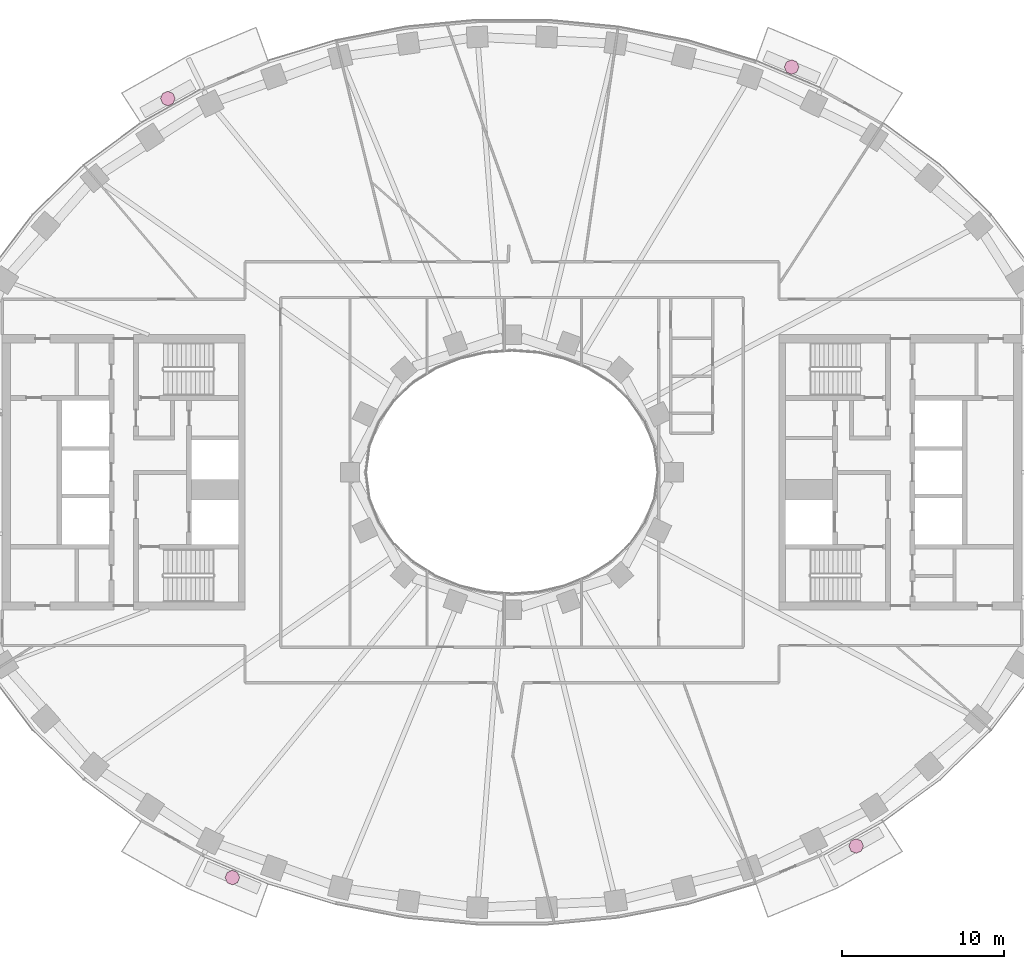
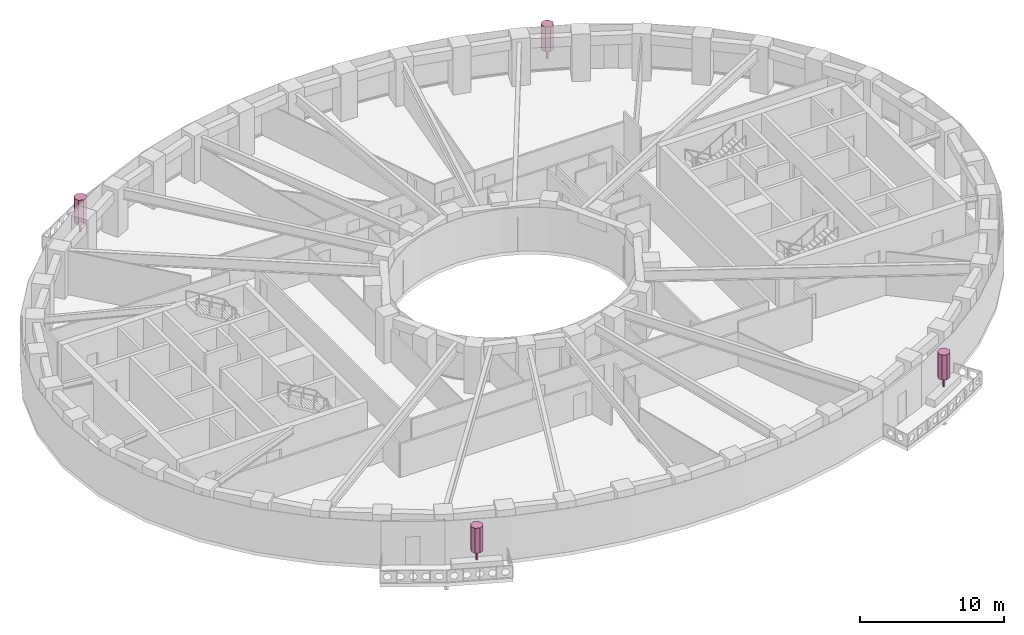
# One storey, part 15 of 15: 4 furnishings.
"""IFC4 building model written with IfcOpenShell, lengths in metres."""

from ifc_helpers import new_model, si_unit, direction, frame, origin, origin_2d, place, context, subcontext, project, spatial, polyline, rectangle, outline, extrude, material, type_object, element, save


model = new_model("IFC4")

# Units and contexts
model_context = context("Model", 3, precision=1e-05, world=origin(), true_north=direction((0.0, 1.0)))
body_context = subcontext(model_context, "Body", "Model", "MODEL_VIEW")
ifc_project = project(units=[si_unit("LENGTHUNIT", "METRE"), si_unit("AREAUNIT", "SQUARE_METRE"), si_unit("VOLUMEUNIT", "CUBIC_METRE"), si_unit("PLANEANGLEUNIT", "RADIAN"), si_unit("MASSUNIT", "GRAM", prefix="KILO")], contexts=[model_context])

# Site, building, storey
site_placement = place(None, origin())
site = spatial("IfcSite", under=ifc_project, at=site_placement, CompositionType="ELEMENT")
building_placement = place(site_placement, origin())
building = spatial("IfcBuilding", under=site, at=building_placement, Name="Noorbagh Ring Tower", CompositionType="ELEMENT")
storey_placement = place(building_placement, frame((0.0, 0.0, 104.0)))
storey = spatial("IfcBuildingStorey", under=building, at=storey_placement, Name="L23", CompositionType="ELEMENT", Elevation=104.0)

# Furnishings
ifc_material = material(Name="Planting foliage green")
furnishing_element_type = type_object("IfcFurnishingElementType", Name="ENV-TREE", material=ifc_material)
for number, where, z_axis, x_axis, name in (
    (1, (17.280517578125, 25.041259765625, 0.60009765625), (0.0, 0.0, 1.0), (1.0, 0.0, 0.0), "Tree BN02"),
    (2, (-21.26513671875, 23.093017578125, 0.60009765625), (0.0, 0.0, 1.0), (1.0, 0.0, 0.0), "Tree BN05"),
    (3, (-17.280517578125, -25.041259765625, 0.60009765625), (0.0, 0.0, 1.0), (1.0, 0.0, 0.0), "Tree BS02"),
    (4, (21.26513671875, -23.093017578125, 0.60009765625), (0.0, 0.0, 1.0), (1.0, 0.0, 0.0), "Tree BS05"),
):
    element("IfcFurnishingElement", number, at=place(storey_placement, frame(where, z_axis=z_axis, x_axis=x_axis)), inside=storey, type_object=furnishing_element_type, Name=name, context=body_context, shape_type="SweptSolid", body=[
        extrude(rectangle(XDim=0.1201171875, YDim=0.1201171875, at=origin_2d()), origin(), (0.0, 0.0, 1.0), 0.825927734375),
        extrude(outline(polyline([(0.449951171875, 0.0), (0.318115234375, 0.318115234375), (0.0, 0.449951171875), (-0.318115234375, 0.318115234375), (-0.449951171875, 0.0), (-0.318115234375, -0.318115234375), (0.0, -0.449951171875), (0.318115234375, -0.318115234375), (0.449951171875, 0.0)])), frame((0.0, 0.0, 0.825927734375)), (0.0, 0.0, 1.0), 2.1240234375),
    ])

save(model, "model.ifc")
